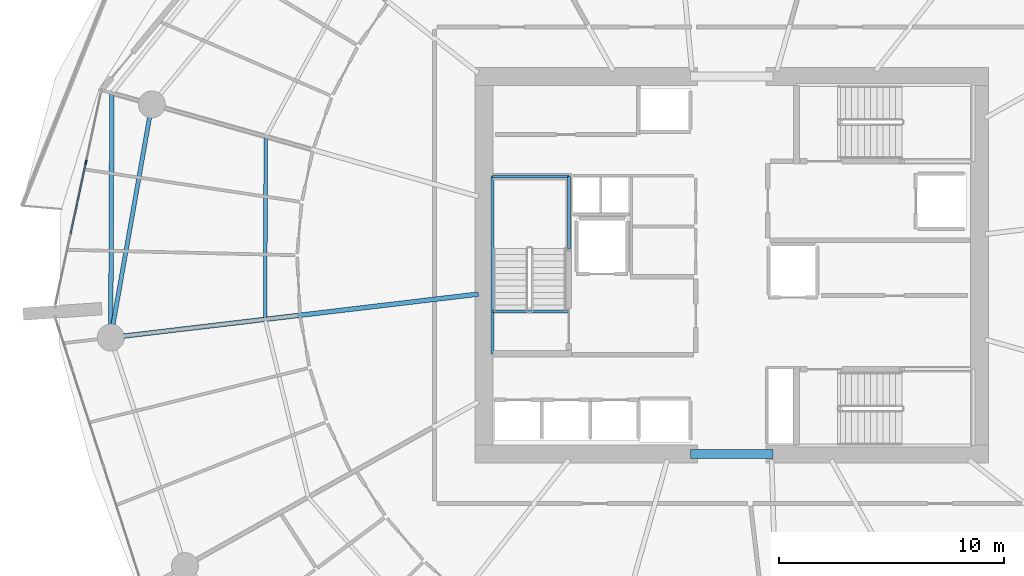
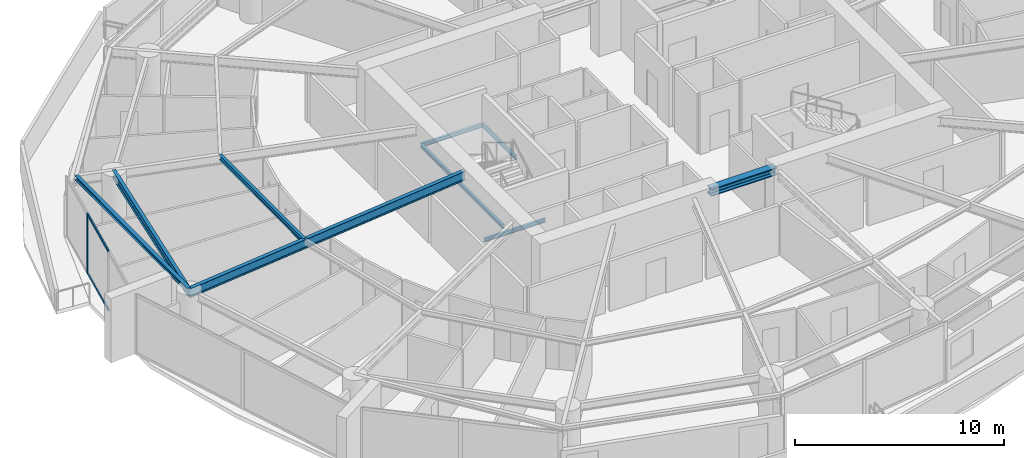
# One storey, part 6 of 23: 9 beams, 3 members, 1 element without a shape of its own.
"""IFC4 building model written with IfcOpenShell, lengths in metres."""

from ifc_helpers import new_model, si_unit, direction, frame, origin, origin_2d, place, context, subcontext, project, spatial, rectangle, i_section, extrude, material, layer, layer_set, material_profile, profile_set, type_object, element, aggregate, save


model = new_model("IFC4")

# Units and contexts
model_context = context("Model", 3, precision=1e-05, world=origin(), true_north=direction((0.0, 1.0)))
body_context = subcontext(model_context, "Body", "Model", "MODEL_VIEW")
ifc_project = project(units=[si_unit("LENGTHUNIT", "METRE"), si_unit("AREAUNIT", "SQUARE_METRE"), si_unit("VOLUMEUNIT", "CUBIC_METRE"), si_unit("PLANEANGLEUNIT", "RADIAN"), si_unit("MASSUNIT", "GRAM", prefix="KILO")], contexts=[model_context])

# Site, building, storey
site_placement = place(None, origin())
site = spatial("IfcSite", under=ifc_project, at=site_placement, CompositionType="ELEMENT")
building_placement = place(site_placement, origin())
building = spatial("IfcBuilding", under=site, at=building_placement, Name="Kazma Halo Residences", CompositionType="ELEMENT")
storey_placement = place(building_placement, frame((0.0, 0.0, 82.64990234375)))
storey = spatial("IfcBuildingStorey", under=building, at=storey_placement, Name="L20", CompositionType="ELEMENT", Elevation=82.64990234375)

# Beams
ifc_material_1 = material(Name="Steel S355", Category="steel")
ifc_material_profile_1 = material_profile(ifc_material_1, i_section(OverallWidth=0.201904296875, OverallDepth=0.2470703125, WebThickness=0.00732421875, FlangeThickness=0.010986328125, FilletRadius=0.011962890625, at=origin_2d()), Name="W250x49.1")
ifc_profile_set_1 = profile_set([ifc_material_profile_1], Name="Steel S355")
beam_type_1 = type_object("IfcBeamType", Name="BM-BAL-CANT", PredefinedType="BEAM", material=ifc_profile_set_1)
beam_1_placement = place(storey_placement, frame((20.8427734375, 49.6591796875, 3.376708984375), z_axis=(-0.004532963616, -0.999989726068, 0.0), x_axis=(0.999989726068, -0.004532963616, 0.0)))
element("IfcBeam", 1, at=beam_1_placement, inside=storey, type_object=beam_type_1, Name="L20 wave-balcony tie beam 07", PredefinedType="BEAM", context=body_context, shape_type="SweptSolid", body=[
    extrude(i_section(OverallWidth=0.201904296875, OverallDepth=0.2470703125, WebThickness=0.00732421875, FlangeThickness=0.010986328125, FilletRadius=0.011962890625, at=origin_2d()), origin(), (0.0, 0.0, 1.0), 10.87939453125),
])
ifc_material_profile_2 = material_profile(ifc_material_1, i_section(OverallWidth=0.408935546875, OverallDepth=0.425048828125, WebThickness=0.03271484375, FlangeThickness=0.052490234375, FilletRadius=0.02001953125, at=origin_2d()), Name="W360x421")
ifc_profile_set_2 = profile_set([ifc_material_profile_2], Name="Steel S355")
beam_type_2 = type_object("IfcBeamType", Name="BM-CORE-W360H", PredefinedType="BEAM", material=ifc_profile_set_2)
beam_2_placement = place(storey_placement, frame((46.60009765625, 33.60009765625, 3.28759765625), z_axis=(1.0, 0.0, 0.0), x_axis=(0.0, 1.0, 0.0)))
element("IfcBeam", 2, at=beam_2_placement, inside=storey, type_object=beam_type_2, Name="L20 core coupling beam S", PredefinedType="BEAM", context=body_context, shape_type="SweptSolid", body=[
    extrude(i_section(OverallWidth=0.408935546875, OverallDepth=0.425048828125, WebThickness=0.03271484375, FlangeThickness=0.052490234375, FilletRadius=0.02001953125, at=origin_2d()), origin(), (0.0, 0.0, 1.0), 3.64990234375),
])
ifc_material_profile_3 = material_profile(ifc_material_1, i_section(OverallWidth=0.208984375, OverallDepth=0.532958984375, WebThickness=0.01025390625, FlangeThickness=0.015625, FilletRadius=0.01611328125, at=origin_2d()), Name="W530x92")
ifc_profile_set_3 = profile_set([ifc_material_profile_3], Name="Steel S355")
beam_type_3 = type_object("IfcBeamType", Name="BM-RAD-W530", PredefinedType="BEAM", material=ifc_profile_set_3)
beam_3_placement = place(storey_placement, frame((37.14990234375, 40.7158203125, 3.233642578125), z_axis=(-0.99306759037, -0.117544718963, 0.0), x_axis=(0.117544718963, -0.99306759037, 0.0)))
element("IfcBeam", 3, at=beam_3_placement, inside=storey, type_object=beam_type_3, Name="L20 radial floor beam 08", PredefinedType="BEAM", context=body_context, shape_type="SweptSolid", body=[
    extrude(i_section(OverallWidth=0.208984375, OverallDepth=0.532958984375, WebThickness=0.01025390625, FlangeThickness=0.015625, FilletRadius=0.01611328125, at=origin_2d()), origin(), (0.0, 0.0, 1.0), 16.470703125),
])
ifc_material_profile_4 = material_profile(ifc_material_1, i_section(OverallWidth=0.1650390625, OverallDepth=0.31005859375, WebThickness=0.005859375, FlangeThickness=0.009765625, FilletRadius=0.011962890625, at=origin_2d()), Name="W310x38.7")
ifc_profile_set_4 = profile_set([ifc_material_profile_4], Name="Steel S355")
beam_type_4 = type_object("IfcBeamType", Name="BM-SEC-W310B", PredefinedType="JOIST", material=ifc_profile_set_4)
beam_4_placement = place(storey_placement, frame((27.69189453125, 47.7275390625, 3.34521484375), z_axis=(-0.003541500645, -0.999993728867, 0.0), x_axis=(0.999993728867, -0.003541500645, 0.0)))
element("IfcBeam", 4, at=beam_4_placement, inside=storey, type_object=beam_type_4, Name="L20 circumferential floor joist 07", PredefinedType="JOIST", context=body_context, shape_type="SweptSolid", body=[
    extrude(i_section(OverallWidth=0.1650390625, OverallDepth=0.31005859375, WebThickness=0.005859375, FlangeThickness=0.009765625, FilletRadius=0.011962890625, at=origin_2d()), origin(), (0.0, 0.0, 1.0), 8.134521484375),
])
ifc_material_profile_5 = material_profile(ifc_material_1, i_section(OverallWidth=0.18994140625, OverallDepth=0.45703125, WebThickness=0.009033203125, FlangeThickness=0.014404296875, FilletRadius=0.01611328125, at=origin_2d()), Name="W460x74")
ifc_profile_set_5 = profile_set([ifc_material_profile_5], Name="Steel S355")
beam_type_5 = type_object("IfcBeamType", Name="BM-SPN-W460", PredefinedType="BEAM", material=ifc_profile_set_5)
beam_5_placement = place(storey_placement, frame((22.623291015625, 49.156982421875, 3.271484375), z_axis=(-0.173653159051, -0.984806874647, 0.0), x_axis=(0.984806874647, -0.173653159051, 0.0)))
element("IfcBeam", 5, at=beam_5_placement, inside=storey, type_object=beam_type_5, Name="L20 perimeter ring beam 07", PredefinedType="BEAM", context=body_context, shape_type="SweptSolid", body=[
    extrude(i_section(OverallWidth=0.18994140625, OverallDepth=0.45703125, WebThickness=0.009033203125, FlangeThickness=0.014404296875, FilletRadius=0.01611328125, at=origin_2d()), origin(), (0.0, 0.0, 1.0), 10.537353515625),
])
ifc_material_profile_6 = material_profile(ifc_material_1, i_section(OverallWidth=0.133056640625, OverallDepth=0.20703125, WebThickness=0.005859375, FlangeThickness=0.00830078125, FilletRadius=0.010009765625, at=origin_2d()), Name="W200x26.6")
ifc_profile_set_6 = profile_set([ifc_material_profile_6], Name="Steel S355")
beam_type_6 = type_object("IfcBeamType", Name="BM-TRIM-W200", PredefinedType="BEAM", material=ifc_profile_set_6)
beam_6_placement = place(storey_placement, frame((37.800048828125, 39.949951171875, -0.35986328125), z_axis=(1.0, 0.0, 0.0), x_axis=(0.0, 1.0, 0.0)))
element("IfcBeam", 6, at=beam_6_placement, inside=storey, type_object=beam_type_6, Name="L20 ST-01 floor landing support beam", PredefinedType="BEAM", context=body_context, shape_type="SweptSolid", body=[
    extrude(i_section(OverallWidth=0.133056640625, OverallDepth=0.20703125, WebThickness=0.005859375, FlangeThickness=0.00830078125, FilletRadius=0.010009765625, at=origin_2d()), origin(), (0.0, 0.0, 1.0), 3.3798828125),
])
beam_7_placement = place(storey_placement, frame((37.780029296875, 38.06005859375, 1.570068359375), z_axis=(0.0, 1.0, 0.0), x_axis=(-1.0, 0.0, 0.0)))
element("IfcBeam", 7, at=beam_7_placement, inside=storey, type_object=beam_type_6, Name="L20 ST-01 landing west wall ledger", PredefinedType="BEAM", context=body_context, shape_type="SweptSolid", body=[
    extrude(i_section(OverallWidth=0.133056640625, OverallDepth=0.20703125, WebThickness=0.005859375, FlangeThickness=0.00830078125, FilletRadius=0.010009765625, at=origin_2d()), origin(), (0.0, 0.0, 1.0), 7.8798828125),
])
beam_8_placement = place(storey_placement, frame((41.179931640625, 42.75, 1.570068359375), z_axis=(0.0, 1.0, 0.0), x_axis=(-1.0, 0.0, 0.0)))
element("IfcBeam", 8, at=beam_8_placement, inside=storey, type_object=beam_type_6, Name="L20 ST-01 landing east wall ledger", PredefinedType="BEAM", context=body_context, shape_type="SweptSolid", body=[
    extrude(i_section(OverallWidth=0.133056640625, OverallDepth=0.20703125, WebThickness=0.005859375, FlangeThickness=0.00830078125, FilletRadius=0.010009765625, at=origin_2d()), origin(), (0.0, 0.0, 1.0), 3.18994140625),
])
beam_9_placement = place(storey_placement, frame((37.780029296875, 45.93994140625, 1.570068359375), z_axis=(1.0, 0.0, 0.0), x_axis=(0.0, 1.0, 0.0)))
element("IfcBeam", 9, at=beam_9_placement, inside=storey, type_object=beam_type_6, Name="L20 ST-01 landing end wall ledger", PredefinedType="BEAM", context=body_context, shape_type="SweptSolid", body=[
    extrude(i_section(OverallWidth=0.133056640625, OverallDepth=0.20703125, WebThickness=0.005859375, FlangeThickness=0.00830078125, FilletRadius=0.010009765625, at=origin_2d()), origin(), (0.0, 0.0, 1.0), 3.39990234375),
])

# Curtain wall, members
ifc_material_2 = material(Name="Aluminium AW-6063 T6 and Triple-Silver Low-E Glass", Category="aluminium")
ifc_layer = layer(ifc_material_2, 0.199951171875)
ifc_layer_set = layer_set([ifc_layer], Name="Aluminium AW-6063 T6 and Triple-Silver Low-E Glass")
curtain_wall_type = type_object("IfcCurtainWallType", Name="CW-SYS-3", PredefinedType="NOTDEFINED", material=ifc_layer_set)
curtain_wall_placement = place(storey_placement, origin())
curtain_wall = element("IfcCurtainWall", 10, at=curtain_wall_placement, inside=storey, type_object=curtain_wall_type, Name="L20 unitised curtain wall B07", PredefinedType="NOTDEFINED")
ifc_material_3 = material(Name="Aluminium AW-6063 T6", Category="aluminium")
ifc_material_profile_7 = material_profile(ifc_material_3, rectangle(XDim=0.070068359375, YDim=0.199951171875, at=origin_2d()), Name="CWM-70x200")
ifc_profile_set_7 = profile_set([ifc_material_profile_7], Name="Aluminium AW-6063 T6")
member_type_1 = type_object("IfcMemberType", Name="CW-SYS-3-MUL", PredefinedType="MULLION", material=ifc_profile_set_7)
member_1_placement = place(storey_placement, frame((19.69287109375, 46.5791015625, 0.0), z_axis=(0.0, 0.0, 1.0), x_axis=(0.977774176093, -0.209660822677, 0.0)))
member_1 = element("IfcMember", 11, at=member_1_placement, type_object=member_type_1, Name="CWS-3 mullion 2", PredefinedType="MULLION", context=body_context, shape_type="SweptSolid", body=[
    extrude(rectangle(XDim=0.070068359375, YDim=0.199951171875, at=origin_2d()), origin(), (0.0, 0.0, 1.0), 3.5),
])
ifc_material_profile_8 = material_profile(ifc_material_3, rectangle(XDim=0.070068359375, YDim=0.14990234375, at=origin_2d()), Name="CWT-70x150")
ifc_profile_set_8 = profile_set([ifc_material_profile_8], Name="Aluminium AW-6063 T6")
member_type_2 = type_object("IfcMemberType", Name="CW-SYS-3-TRN", PredefinedType="USERDEFINED", material=ifc_profile_set_8)
member_2_placement = place(storey_placement, frame((19.685546875, 46.544921875, 0.03515625), z_axis=(-0.209627675811, -0.977781283076, 0.0), x_axis=(0.977781283076, -0.209627675811, 0.0)))
member_2 = element("IfcMember", 12, at=member_2_placement, type_object=member_type_2, Name="CWS-3 transom 2.1", ObjectType="TRANSOM", PredefinedType="USERDEFINED", context=body_context, shape_type="SweptSolid", body=[
    extrude(rectangle(XDim=0.070068359375, YDim=0.14990234375, at=origin_2d()), origin(), (0.0, 0.0, 1.0), 3.213134765625),
])
member_3_placement = place(storey_placement, frame((19.685546875, 46.544921875, 3.465087890625), z_axis=(-0.209627675811, -0.977781283076, 0.0), x_axis=(0.977781283076, -0.209627675811, 0.0)))
member_3 = element("IfcMember", 13, at=member_3_placement, type_object=member_type_2, Name="CWS-3 transom 2.2", ObjectType="TRANSOM", PredefinedType="USERDEFINED", context=body_context, shape_type="SweptSolid", body=[
    extrude(rectangle(XDim=0.070068359375, YDim=0.14990234375, at=origin_2d()), origin(), (0.0, 0.0, 1.0), 3.213134765625),
])
aggregate(curtain_wall, [member_1, member_2, member_3])

save(model, "model.ifc")
